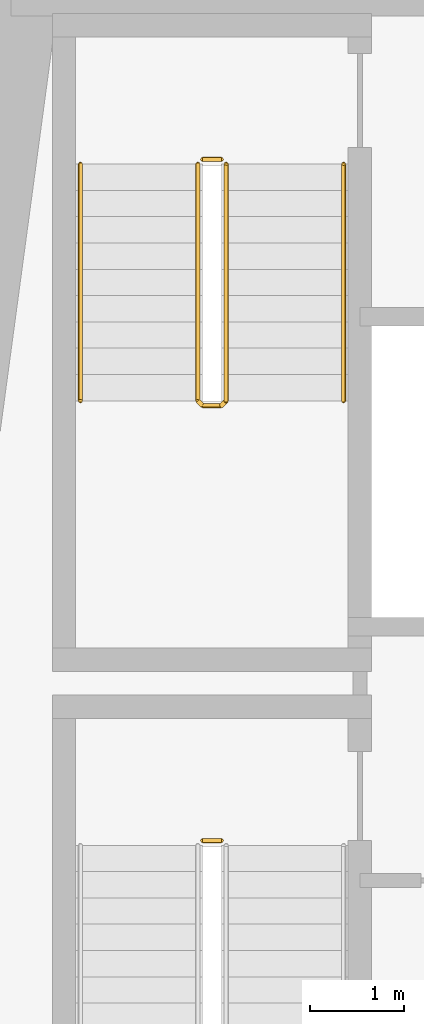
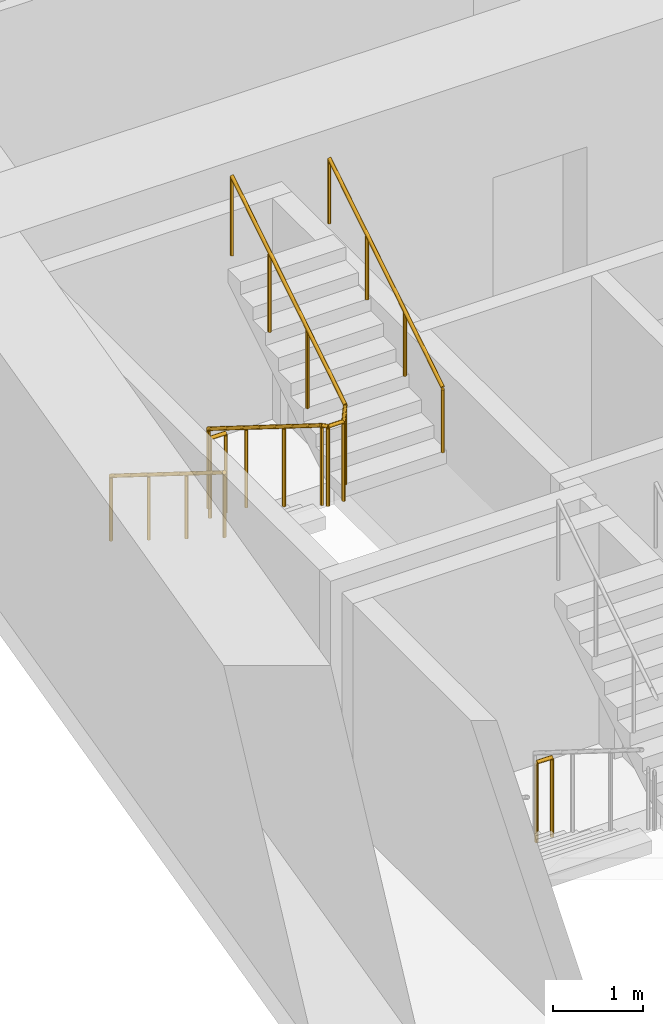
# One storey, part 9 of 12: 5 railings.
"""IFC4 building model written with IfcOpenShell, lengths in metres."""

import ifcopenshell
import ifcopenshell.guid

model = None  # the IFC model being written
_history = None  # IfcOwnerHistory: only IFC2X3 demands one
_inside = {}  # id of a spatial element -> (the spatial element, [elements in it])
_under = {}  # id of a project, library or spatial element -> (it, [spatial elements below it])
_declared = {}  # id of a project -> (the project, [libraries it declares])
_typed = {}  # id of a type object -> (the type object, [elements of that type])
_made_of = {}  # id of a material, layer set ... -> (it, [elements and type objects made of it])


def new_model(schema):
    """Start an empty IFC model of exactly this schema.

    Asked for "IFC4X3", IfcOpenShell would pick the latest addendum, in which some entities
    have other attributes; the version numbers below select the first issue.
    IFC2X3 requires an IfcOwnerHistory on every rooted entity: one is made here for all.
    """
    global model, _history
    if schema == "IFC4X3":
        model = ifcopenshell.file(schema_version=(4, 3, 0, 0))
    else:
        model = ifcopenshell.file(schema=schema)
    _inside.clear()
    _under.clear()
    _declared.clear()
    _typed.clear()
    _made_of.clear()
    _history = None
    if model.schema == "IFC2X3":
        org = make("IfcOrganization", Name="unknown")
        user = make(
            "IfcPersonAndOrganization",
            ThePerson=make("IfcPerson", FamilyName="unknown"),
            TheOrganization=org,
        )
        app = make(
            "IfcApplication",
            ApplicationDeveloper=org,
            Version="unknown",
            ApplicationFullName="unknown",
            ApplicationIdentifier="unknown",
        )
        _history = make(
            "IfcOwnerHistory",
            OwningUser=user,
            OwningApplication=app,
            ChangeAction="ADDED",
            CreationDate=0,
        )
    return model


def make(cls, **values):
    """One entity of the class cls with the attributes given. An attribute that is None is left unset."""
    return model.create_entity(
        cls, **{name: value for name, value in values.items() if value is not None}
    )


def rooted(cls, **values):
    """An entity with a GlobalId (a new one), such as an element, a storey or a relation."""
    return make(cls, GlobalId=ifcopenshell.guid.new(), OwnerHistory=_history, **values)


def si_unit(unit_type, name, prefix=None):
    """IfcSIUnit, for example si_unit("LENGTHUNIT", "METRE", prefix="MILLI")."""
    return make("IfcSIUnit", UnitType=unit_type, Prefix=prefix, Name=name)


def assignment(units):
    """IfcUnitAssignment: the units of a project."""
    return None if units is None else make("IfcUnitAssignment", Units=units)


def point(xyz):
    """IfcCartesianPoint."""
    return None if xyz is None else make("IfcCartesianPoint", Coordinates=xyz)


def direction(xyz):
    """IfcDirection."""
    return None if xyz is None else make("IfcDirection", DirectionRatios=xyz)


def frame(location, z_axis=None, x_axis=None):
    """IfcAxis2Placement3D, a coordinate frame: its origin and axes. An axis left out is left unset."""
    return make(
        "IfcAxis2Placement3D",
        Location=point(location),
        Axis=direction(z_axis),
        RefDirection=direction(x_axis),
    )


def frame_2d(location, x_axis=None):
    """IfcAxis2Placement2D, a coordinate frame in the plane: its origin and x axis."""
    return make(
        "IfcAxis2Placement2D", Location=point(location), RefDirection=direction(x_axis)
    )


def origin():
    """The frame at (0, 0, 0) with its axes left unset."""
    return frame((0.0, 0.0, 0.0))


def origin_2d():
    """The frame at (0, 0) in the plane with its x axis left unset."""
    return frame_2d((0.0, 0.0))


def place(relative_to, where):
    """IfcLocalPlacement: puts the frame where relative to a parent placement (None: the world)."""
    return make(
        "IfcLocalPlacement", PlacementRelTo=relative_to, RelativePlacement=where
    )


def context(
    kind, dimensions, precision=None, world=None, true_north=None, identifier=None
):
    """IfcGeometricRepresentationContext, for example the 3D "Model" context."""
    return make(
        "IfcGeometricRepresentationContext",
        ContextIdentifier=identifier,
        ContextType=kind,
        CoordinateSpaceDimension=dimensions,
        Precision=precision,
        WorldCoordinateSystem=world,
        TrueNorth=true_north,
    )


def subcontext(parent, identifier, kind, view, scale=None):
    """IfcGeometricRepresentationSubContext, for example "Body" below "Model"."""
    return make(
        "IfcGeometricRepresentationSubContext",
        ContextIdentifier=identifier,
        ContextType=kind,
        ParentContext=parent,
        TargetScale=scale,
        TargetView=view,
    )


def project(units=None, contexts=None):
    """IfcProject with its units and contexts."""
    return rooted(
        "IfcProject",
        Name="project",
        RepresentationContexts=contexts,
        UnitsInContext=assignment(units),
    )


def spatial(cls, under=None, at=None, **own):
    """A site, building, storey or space (cls), placed at a placement, below another one or the project."""
    s = rooted(cls, ObjectPlacement=at, **own)
    if under is not None:
        _under.setdefault(under.id(), (under, []))[1].append(s)
    return s


def profile(cls, at=None, kind="AREA", **sizes):
    """A parametric profile (cls). Its sizes go by their IFC names, for example OverallWidth=200.0."""
    return make(cls, ProfileType=kind, Position=at, **sizes)


def circle(**sizes):
    """IfcCircleProfileDef."""
    return profile("IfcCircleProfileDef", **sizes)


def extrude(swept, where, along, depth):
    """IfcExtrudedAreaSolid: the profile swept, set in the frame where, extruded along a direction by depth."""
    return make(
        "IfcExtrudedAreaSolid",
        SweptArea=swept,
        Position=where,
        ExtrudedDirection=direction(along),
        Depth=depth,
    )


def shape(context_of_items, identifier, shape_type, items):
    """IfcShapeRepresentation: the items that make up one representation, for example the "Body"."""
    return make(
        "IfcShapeRepresentation",
        ContextOfItems=context_of_items,
        RepresentationIdentifier=identifier,
        RepresentationType=shape_type,
        Items=items,
    )


def material(Name=None, Category=None):
    """IfcMaterial."""
    return make("IfcMaterial", Name=Name, Category=Category)


def made_of(thing, what):
    """Note that an element or type object is made of a material, layer set ...; save() writes the relation."""
    if what is not None:
        _made_of.setdefault(what.id(), (what, []))[1].append(thing)
    return thing


def type_object(cls, material=None, **own):
    """A type object (cls), such as IfcWallType, which elements share."""
    return made_of(rooted(cls, **own), material)


def element(
    cls,
    number,
    at=None,
    inside=None,
    cuts=None,
    type_object=None,
    material=None,
    context=None,
    identifier="Body",
    shape_type=None,
    held_by="IfcProductDefinitionShape",
    body=None,
    shapes=None,
    **own,
):
    """One element of the class cls, such as IfcWall. Its Tag is "e" and its number.

    at: its placement. inside: the storey or other place that contains it. cuts: it is an
    opening in that element (IfcRelVoidsElement). A single representation is given by context,
    identifier, shape_type and body (its items); several are given by shapes. held_by: the class
    of the entity that holds the representations. save() writes the other relations.
    """
    e = rooted(cls, Tag="e%d" % number, ObjectPlacement=at, **own)
    if body is not None:
        shapes = [shape(context, identifier, shape_type, body)]
    if shapes is not None:
        e.Representation = make(held_by, Representations=shapes)
    if inside is not None:
        _inside.setdefault(inside.id(), (inside, []))[1].append(e)
    if cuts is not None:
        rooted(
            "IfcRelVoidsElement", RelatingBuildingElement=cuts, RelatedOpeningElement=e
        )
    if type_object is not None:
        _typed.setdefault(type_object.id(), (type_object, []))[1].append(e)
    return made_of(e, material)


def aggregate(whole, parts):
    """IfcRelAggregates: a whole, such as a stair, and the parts it consists of."""
    return rooted("IfcRelAggregates", RelatingObject=whole, RelatedObjects=parts)


def save(model, path):
    """Write the relations noted so far, then the file.

    IfcRelAggregates (storeys below a building ...), IfcRelContainedInSpatialStructure (elements
    in a storey), IfcRelDefinesByType, IfcRelAssociatesMaterial and IfcRelDeclares: one each for
    every whole, place, type object, material and project.
    """
    for whole, parts in _under.values():
        aggregate(whole, parts)
    for where, things in _inside.values():
        rooted(
            "IfcRelContainedInSpatialStructure",
            RelatedElements=things,
            RelatingStructure=where,
        )
    for kind, things in _typed.values():
        rooted("IfcRelDefinesByType", RelatedObjects=things, RelatingType=kind)
    for what, things in _made_of.values():
        rooted("IfcRelAssociatesMaterial", RelatedObjects=things, RelatingMaterial=what)
    for by, libraries in _declared.values():
        rooted("IfcRelDeclares", RelatingContext=by, RelatedDefinitions=libraries)
    model.write(path)


model = new_model("IFC4")

# Units and contexts
model_context = context("Model", 3, precision=1e-05, world=origin(), true_north=direction((0.0, 1.0)))
body_context = subcontext(model_context, "Body", "Model", "MODEL_VIEW")
ifc_project = project(units=[si_unit("LENGTHUNIT", "METRE"), si_unit("AREAUNIT", "SQUARE_METRE"), si_unit("VOLUMEUNIT", "CUBIC_METRE"), si_unit("PLANEANGLEUNIT", "RADIAN"), si_unit("MASSUNIT", "GRAM", prefix="KILO")], contexts=[model_context])

# Site, building, storey
site_placement = place(None, origin())
site = spatial("IfcSite", under=ifc_project, at=site_placement, CompositionType="ELEMENT")
building_placement = place(site_placement, origin())
building = spatial("IfcBuilding", under=site, at=building_placement, Name="Candeia Pilgrim Tower and Theatre", CompositionType="ELEMENT")
storey_placement = place(building_placement, frame((0.0, 0.0, 77.5)))
storey = spatial("IfcBuildingStorey", under=building, at=storey_placement, Name="L17", CompositionType="ELEMENT", Elevation=77.5)

# Railings
ifc_material_1 = material(Name="Stainless steel balustrade", Category="steel")
railing_type_1 = type_object("IfcRailingType", Name="RL-GUARD-1100", PredefinedType="GUARDRAIL", material=ifc_material_1)
railing_1_placement = place(storey_placement, frame((91.152099609375, 122.52490234375, 0.0)))
element("IfcRailing", 1, at=railing_1_placement, inside=storey, type_object=railing_type_1, Name="L17 ST1 stair guard 2", PredefinedType="GUARDRAIL", context=body_context, shape_type="SweptSolid", body=[
    extrude(circle(Radius=0.02392578125, at=origin_2d()), frame((0.0, 0.0, 1.076171875), z_axis=(1.0, 0.0, 0.0), x_axis=(0.0, 1.0, 0.0)), (0.0, 0.0, 1.0), 0.199951171875),
    extrude(circle(Radius=0.02099609375, at=origin_2d()), origin(), (0.0, 0.0, 1.0), 1.052001953125),
    extrude(circle(Radius=0.02099609375, at=origin_2d()), frame((0.199951171875, 0.0, 0.0)), (0.0, 0.0, 1.0), 1.052001953125),
])
railing_2_placement = place(storey_placement, frame((91.10205078125, 129.72509765625, 0.175048828125)))
element("IfcRailing", 2, at=railing_2_placement, inside=storey, type_object=railing_type_1, Name="L17 ST2 stair guard 1", PredefinedType="GUARDRAIL", context=body_context, shape_type="SweptSolid", body=[
    extrude(circle(Radius=0.02392578125, at=origin_2d()), frame((0.0, 0.0, 1.076171875), z_axis=(0.0, -0.848007534815, 0.529984170421), x_axis=(1.0, 0.0, 0.0)), (0.0, 0.0, 1.0), 2.9716796875),
    extrude(circle(Radius=0.02392578125, at=origin_2d()), frame((0.0, -2.52001953125, 2.65087890625), z_axis=(0.707106781187, -0.707106781187, 0.0), x_axis=(0.707106781187, 0.707106781187, 0.0)), (0.0, 0.0, 1.0), 0.07080078125),
    extrude(circle(Radius=0.02392578125, at=origin_2d()), frame((0.050048828125, -2.570068359375, 2.65087890625), z_axis=(1.0, 0.0, 0.0), x_axis=(0.0, 1.0, 0.0)), (0.0, 0.0, 1.0), 0.199951171875),
    extrude(circle(Radius=0.02392578125, at=origin_2d()), frame((0.25, -2.570068359375, 2.65087890625), z_axis=(0.265065253269, 0.265065253269, 0.927081885822), x_axis=(-0.707106781187, 0.707106781187, 0.0)), (0.0, 0.0, 1.0), 0.188720703125),
    extrude(circle(Radius=0.02392578125, at=origin_2d()), frame((0.300048828125, -2.52001953125, 2.826171875), z_axis=(0.0, 0.848007534815, 0.529984170421), x_axis=(-1.0, 0.0, 0.0)), (0.0, 0.0, 1.0), 2.9716796875),
    extrude(circle(Radius=0.02099609375, at=origin_2d()), origin(), (0.0, 0.0, 1.0), 1.052001953125),
    extrude(circle(Radius=0.02099609375, at=origin_2d()), frame((0.0, -0.840087890625, 0.52490234375)), (0.0, 0.0, 1.0), 1.052001953125),
    extrude(circle(Radius=0.02099609375, at=origin_2d()), frame((0.0, -1.679931640625, 1.050048828125)), (0.0, 0.0, 1.0), 1.052001953125),
    extrude(circle(Radius=0.02099609375, at=origin_2d()), frame((0.0, -2.52001953125, 1.574951171875)), (0.0, 0.0, 1.0), 1.052001953125),
    extrude(circle(Radius=0.02099609375, at=origin_2d()), frame((0.050048828125, -2.570068359375, 1.574951171875)), (0.0, 0.0, 1.0), 1.052001953125),
    extrude(circle(Radius=0.02099609375, at=origin_2d()), frame((0.25, -2.570068359375, 1.574951171875)), (0.0, 0.0, 1.0), 1.052001953125),
    extrude(circle(Radius=0.02099609375, at=origin_2d()), frame((0.300048828125, -2.52001953125, 1.75)), (0.0, 0.0, 1.0), 1.052001953125),
    extrude(circle(Radius=0.02099609375, at=origin_2d()), frame((0.300048828125, -1.679931640625, 2.27490234375)), (0.0, 0.0, 1.0), 1.052001953125),
    extrude(circle(Radius=0.02099609375, at=origin_2d()), frame((0.300048828125, -0.840087890625, 2.800048828125)), (0.0, 0.0, 1.0), 1.052001953125),
    extrude(circle(Radius=0.02099609375, at=origin_2d()), frame((0.300048828125, 0.0, 3.324951171875)), (0.0, 0.0, 1.0), 1.052001953125),
])
railing_3_placement = place(storey_placement, frame((91.152099609375, 129.77490234375, 0.0)))
element("IfcRailing", 3, at=railing_3_placement, inside=storey, type_object=railing_type_1, Name="L17 ST2 stair guard 2", PredefinedType="GUARDRAIL", context=body_context, shape_type="SweptSolid", body=[
    extrude(circle(Radius=0.02392578125, at=origin_2d()), frame((0.0, 0.0, 1.076171875), z_axis=(1.0, 0.0, 0.0), x_axis=(0.0, 1.0, 0.0)), (0.0, 0.0, 1.0), 0.199951171875),
    extrude(circle(Radius=0.02099609375, at=origin_2d()), origin(), (0.0, 0.0, 1.0), 1.052001953125),
    extrude(circle(Radius=0.02099609375, at=origin_2d()), frame((0.199951171875, 0.0, 0.0)), (0.0, 0.0, 1.0), 1.052001953125),
])
ifc_material_2 = material(Name="Stainless steel handrail", Category="steel")
railing_type_2 = type_object("IfcRailingType", Name="RL-HANDRAIL-900", PredefinedType="HANDRAIL", material=ifc_material_2)
railing_4_placement = place(storey_placement, frame((89.85205078125, 129.72509765625, 0.175048828125)))
element("IfcRailing", 4, at=railing_4_placement, inside=storey, type_object=railing_type_2, Name="L17 ST2 stair handrail 1", PredefinedType="HANDRAIL", context=body_context, shape_type="SweptSolid", body=[
    extrude(circle(Radius=0.02392578125, at=origin_2d()), frame((0.0, 0.0, 0.8759765625), z_axis=(0.0, -0.848007534815, 0.529984170421), x_axis=(1.0, 0.0, 0.0)), (0.0, 0.0, 1.0), 2.9716796875),
    extrude(circle(Radius=0.02099609375, at=origin_2d()), origin(), (0.0, 0.0, 1.0), 0.851806640625),
    extrude(circle(Radius=0.02099609375, at=origin_2d()), frame((0.0, -0.840087890625, 0.52490234375)), (0.0, 0.0, 1.0), 0.851806640625),
    extrude(circle(Radius=0.02099609375, at=origin_2d()), frame((0.0, -1.679931640625, 1.050048828125)), (0.0, 0.0, 1.0), 0.851806640625),
    extrude(circle(Radius=0.02099609375, at=origin_2d()), frame((0.0, -2.52001953125, 1.574951171875)), (0.0, 0.0, 1.0), 0.851806640625),
])
railing_5_placement = place(storey_placement, frame((92.652099609375, 127.205078125, 1.925048828125)))
element("IfcRailing", 5, at=railing_5_placement, inside=storey, type_object=railing_type_2, Name="L17 ST2 stair handrail 2", PredefinedType="HANDRAIL", context=body_context, shape_type="SweptSolid", body=[
    extrude(circle(Radius=0.02392578125, at=origin_2d()), frame((0.0, 0.0, 0.8759765625), z_axis=(0.0, 0.848007534815, 0.529984170421), x_axis=(-1.0, 0.0, 0.0)), (0.0, 0.0, 1.0), 2.9716796875),
    extrude(circle(Radius=0.02099609375, at=origin_2d()), origin(), (0.0, 0.0, 1.0), 0.851806640625),
    extrude(circle(Radius=0.02099609375, at=origin_2d()), frame((0.0, 0.840087890625, 0.52490234375)), (0.0, 0.0, 1.0), 0.851806640625),
    extrude(circle(Radius=0.02099609375, at=origin_2d()), frame((0.0, 1.679931640625, 1.050048828125)), (0.0, 0.0, 1.0), 0.851806640625),
    extrude(circle(Radius=0.02099609375, at=origin_2d()), frame((0.0, 2.52001953125, 1.574951171875)), (0.0, 0.0, 1.0), 0.851806640625),
])

save(model, "model.ifc")
